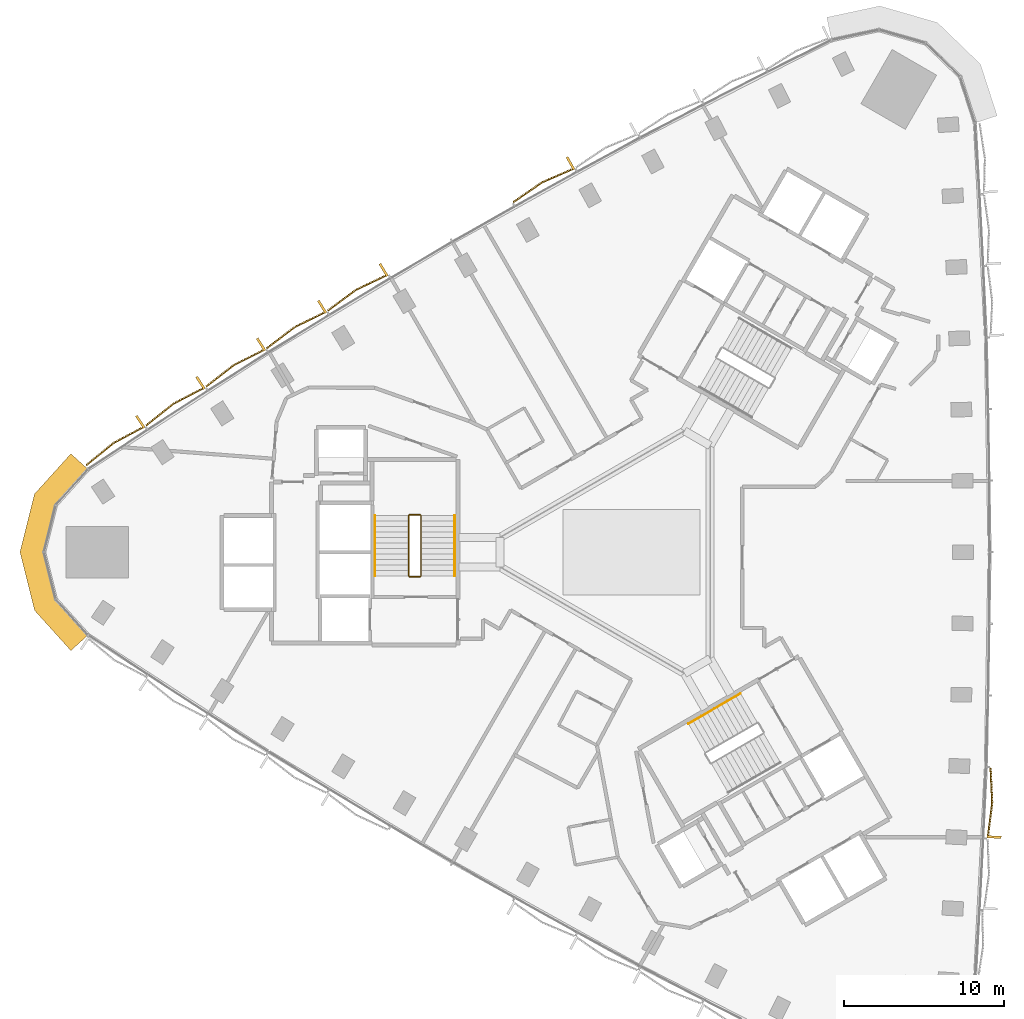
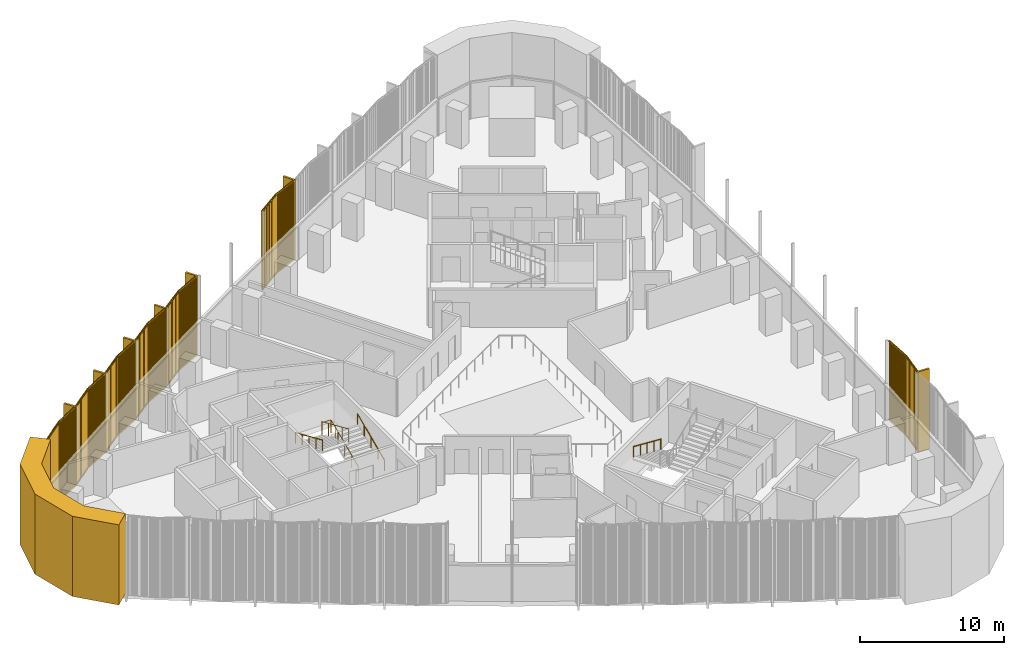
# One storey, part 13 of 15: 8 coverings, 4 railings.
"""IFC4 building model written with IfcOpenShell, lengths in metres."""

from ifc_helpers import new_model, si_unit, direction, frame, frame_2d, origin, origin_2d, place, context, subcontext, project, spatial, polyline, rectangle, circle, outline, extrude, source, transform, mapped, material, layer, layer_set, type_object, element, save


model = new_model("IFC4")

# Units and contexts
model_context = context("Model", 3, precision=1e-05, world=origin(), true_north=direction((0.0, 1.0)))
body_context = subcontext(model_context, "Body", "Model", "MODEL_VIEW")
ifc_project = project(units=[si_unit("LENGTHUNIT", "METRE"), si_unit("AREAUNIT", "SQUARE_METRE"), si_unit("VOLUMEUNIT", "CUBIC_METRE"), si_unit("PLANEANGLEUNIT", "RADIAN"), si_unit("MASSUNIT", "GRAM", prefix="KILO")], contexts=[model_context])

# Site, building, storey
site_placement = place(None, origin())
site = spatial("IfcSite", under=ifc_project, at=site_placement, CompositionType="ELEMENT")
building_placement = place(site_placement, origin())
building = spatial("IfcBuilding", under=site, at=building_placement, Name="Tamra Quay Hotel Tower", CompositionType="ELEMENT")
storey_placement = place(building_placement, frame((0.0, 0.0, 79.39990234375)))
storey = spatial("IfcBuildingStorey", under=building, at=storey_placement, Name="L18", CompositionType="ELEMENT", Elevation=79.39990234375)

# Covering
ifc_material_1 = material(Name="Precast concrete M60 terracotta-coloured", Category="masonry")
ifc_layer = layer(ifc_material_1, 1.449951171875)
ifc_layer_set = layer_set([ifc_layer], Name="CORNER PIER PANEL")
covering_type_1 = type_object("IfcCoveringType", Name="CORNER PIER PANEL", PredefinedType="CLADDING", material=ifc_layer_set)
covering_1_placement = place(storey_placement, origin())
element("IfcCovering", 1, at=covering_1_placement, inside=storey, type_object=covering_type_1, Name="Corner pier L18.north-west", PredefinedType="CLADDING", context=body_context, shape_type="SweptSolid", body=[
    extrude(outline(polyline([(-33.88525390625, 5.166015625), (-34.96142578125, 6.137451171875), (-37.2255859375, 3.62939453125), (-38.132080078125, 0.0), (-37.2255859375, -3.62939453125), (-34.96142578125, -6.137451171875), (-33.88525390625, -5.166015625), (-35.906494140625, -2.9267578125), (-36.6376953125, 0.0), (-35.906494140625, 2.9267578125), (-33.88525390625, 5.166015625)])), origin(), (0.0, 0.0, 1.0), 6.775146484375),
])

# Railings
ifc_material_2 = material(Name="Stair guard 1100")
railing_type_1 = type_object("IfcRailingType", Name="Stair guard 1100", PredefinedType="GUARDRAIL", material=ifc_material_2)
railing_1_placement = place(storey_placement, frame((-13.84130859375, -1.530029296875, 0.0)))
element("IfcRailing", 2, at=railing_1_placement, inside=storey, type_object=railing_type_1, Name="GR", PredefinedType="GUARDRAIL", context=body_context, shape_type="SweptSolid", body=[
    extrude(circle(Radius=0.02392578125, at=origin_2d()), frame((0.0, 0.0, 1.076171875), z_axis=(1.0, 0.0, 0.0), x_axis=(0.0, 1.0, 0.0)), (0.0, 0.0, 1.0), 0.658935546875),
    extrude(circle(Radius=0.02392578125, at=origin_2d()), frame((0.658935546875, 0.0, 1.076171875), z_axis=(0.301511344578, 0.301511344578, 0.904534033733), x_axis=(-0.707106781187, 0.707106781187, 0.0)), (0.0, 0.0, 1.0), 0.166015625),
    extrude(circle(Radius=0.02392578125, at=origin_2d()), frame((0.708984375, 0.050048828125, 1.22607421875), z_axis=(0.0, 0.915795495799, 0.401644880304), x_axis=(-1.0, 0.0, 0.0)), (0.0, 0.0, 1.0), 4.10791015625),
    extrude(circle(Radius=0.02392578125, at=origin_2d()), frame((0.708984375, 3.81201171875, 2.8759765625), z_axis=(-0.708833529934, 0.705375805398, 0.0), x_axis=(-0.705375805398, -0.708833529934, 0.0)), (0.0, 0.0, 1.0), 0.070556640625),
    extrude(circle(Radius=0.02392578125, at=origin_2d()), frame((0.658935546875, 3.86181640625, 2.8759765625), z_axis=(-1.0, 0.0, 0.0), x_axis=(0.0, -1.0, 0.0)), (0.0, 0.0, 1.0), 0.658935546875),
    extrude(circle(Radius=0.02392578125, at=origin_2d()), frame((0.0, 3.86181640625, 2.8759765625), z_axis=(-0.301644814947, -0.300173376825, 0.904934444842), x_axis=(0.705375805398, -0.708833529934, 0.0)), (0.0, 0.0, 1.0), 0.166015625),
    extrude(circle(Radius=0.02392578125, at=origin_2d()), frame((-0.050048828125, 3.81201171875, 3.0263671875), z_axis=(0.0, -0.915795495799, 0.401644880304), x_axis=(1.0, 0.0, 0.0)), (0.0, 0.0, 1.0), 4.10791015625),
    extrude(circle(Radius=0.02099609375, at=origin_2d()), origin(), (0.0, 0.0, 1.0), 1.052001953125),
    extrude(circle(Radius=0.02099609375, at=origin_2d()), frame((0.658935546875, 0.0, 0.0)), (0.0, 0.0, 1.0), 1.052001953125),
    extrude(circle(Radius=0.02099609375, at=origin_2d()), frame((0.708984375, 0.050048828125, 0.150146484375)), (0.0, 0.0, 1.0), 1.052001953125),
    extrude(circle(Radius=0.02099609375, at=origin_2d()), frame((0.708984375, 0.990478515625, 0.5625)), (0.0, 0.0, 1.0), 1.052001953125),
    extrude(circle(Radius=0.02099609375, at=origin_2d()), frame((0.708984375, 1.93115234375, 0.97509765625)), (0.0, 0.0, 1.0), 1.052001953125),
    extrude(circle(Radius=0.02099609375, at=origin_2d()), frame((0.708984375, 2.87158203125, 1.3876953125)), (0.0, 0.0, 1.0), 1.052001953125),
    extrude(circle(Radius=0.02099609375, at=origin_2d()), frame((0.708984375, 3.81201171875, 1.800048828125)), (0.0, 0.0, 1.0), 1.052001953125),
    extrude(circle(Radius=0.02099609375, at=origin_2d()), frame((0.658935546875, 3.86181640625, 1.800048828125)), (0.0, 0.0, 1.0), 1.052001953125),
    extrude(circle(Radius=0.02099609375, at=origin_2d()), frame((0.0, 3.86181640625, 1.800048828125)), (0.0, 0.0, 1.0), 1.052001953125),
    extrude(circle(Radius=0.02099609375, at=origin_2d()), frame((-0.050048828125, 3.81201171875, 1.9501953125)), (0.0, 0.0, 1.0), 1.052001953125),
    extrude(circle(Radius=0.02099609375, at=origin_2d()), frame((-0.050048828125, 2.87158203125, 2.36279296875)), (0.0, 0.0, 1.0), 1.052001953125),
    extrude(circle(Radius=0.02099609375, at=origin_2d()), frame((-0.050048828125, 1.93115234375, 2.775146484375)), (0.0, 0.0, 1.0), 1.052001953125),
    extrude(circle(Radius=0.02099609375, at=origin_2d()), frame((-0.050048828125, 0.990478515625, 3.1875)), (0.0, 0.0, 1.0), 1.052001953125),
    extrude(circle(Radius=0.02099609375, at=origin_2d()), frame((-0.050048828125, 0.050048828125, 3.60009765625)), (0.0, 0.0, 1.0), 1.052001953125),
])
ifc_material_3 = material(Name="Stair handrail 900")
railing_type_2 = type_object("IfcRailingType", Name="Stair handrail 900", PredefinedType="HANDRAIL", material=ifc_material_3)
railing_2_placement = place(storey_placement, frame((-11.0322265625, -1.47998046875, 0.150146484375)))
element("IfcRailing", 3, at=railing_2_placement, inside=storey, type_object=railing_type_2, Name="HR", PredefinedType="HANDRAIL", context=body_context, shape_type="SweptSolid", body=[
    extrude(circle(Radius=0.02392578125, at=origin_2d()), frame((0.0, 0.0, 0.8759765625), z_axis=(0.0, 0.915795495799, 0.401644880304), x_axis=(-1.0, 0.0, 0.0)), (0.0, 0.0, 1.0), 4.10791015625),
    extrude(circle(Radius=0.02099609375, at=origin_2d()), origin(), (0.0, 0.0, 1.0), 0.851806640625),
    extrude(circle(Radius=0.02099609375, at=origin_2d()), frame((0.0, 0.9404296875, 0.41259765625)), (0.0, 0.0, 1.0), 0.851806640625),
    extrude(circle(Radius=0.02099609375, at=origin_2d()), frame((0.0, 1.880859375, 0.824951171875)), (0.0, 0.0, 1.0), 0.851806640625),
    extrude(circle(Radius=0.02099609375, at=origin_2d()), frame((0.0, 2.821533203125, 1.2373046875)), (0.0, 0.0, 1.0), 0.851806640625),
    extrude(circle(Radius=0.02099609375, at=origin_2d()), frame((0.0, 3.761962890625, 1.64990234375)), (0.0, 0.0, 1.0), 0.851806640625),
])
railing_3_placement = place(storey_placement, frame((-15.9912109375, 2.281982421875, 1.9501953125)))
element("IfcRailing", 4, at=railing_3_placement, inside=storey, type_object=railing_type_2, Name="HR", PredefinedType="HANDRAIL", context=body_context, shape_type="SweptSolid", body=[
    extrude(circle(Radius=0.02392578125, at=origin_2d()), frame((0.0, 0.0, 0.8759765625), z_axis=(0.0, -0.915795495799, 0.401644880304), x_axis=(1.0, 0.0, 0.0)), (0.0, 0.0, 1.0), 4.10791015625),
    extrude(circle(Radius=0.02099609375, at=origin_2d()), origin(), (0.0, 0.0, 1.0), 0.851806640625),
    extrude(circle(Radius=0.02099609375, at=origin_2d()), frame((0.0, -0.9404296875, 0.41259765625)), (0.0, 0.0, 1.0), 0.851806640625),
    extrude(circle(Radius=0.02099609375, at=origin_2d()), frame((0.0, -1.880859375, 0.824951171875)), (0.0, 0.0, 1.0), 0.851806640625),
    extrude(circle(Radius=0.02099609375, at=origin_2d()), frame((0.0, -2.821533203125, 1.2373046875)), (0.0, 0.0, 1.0), 0.851806640625),
    extrude(circle(Radius=0.02099609375, at=origin_2d()), frame((0.0, -3.761962890625, 1.64990234375)), (0.0, 0.0, 1.0), 0.851806640625),
])
railing_4_placement = place(storey_placement, frame((6.7978515625, -8.814208984375, 0.150146484375)))
element("IfcRailing", 5, at=railing_4_placement, inside=storey, type_object=railing_type_2, Name="HR", PredefinedType="HANDRAIL", context=body_context, shape_type="SweptSolid", body=[
    extrude(circle(Radius=0.02392578125, at=origin_2d()), frame((0.0, 0.0, 0.8759765625), z_axis=(-0.79310004713, -0.457886897714, 0.401661429744), x_axis=(0.499992114976, -0.866029956157, 0.0)), (0.0, 0.0, 1.0), 4.107666015625),
    extrude(circle(Radius=0.02099609375, at=origin_2d()), origin(), (0.0, 0.0, 1.0), 0.851806640625),
    extrude(circle(Radius=0.02099609375, at=origin_2d()), frame((-0.814453125, -0.47021484375, 0.41259765625)), (0.0, 0.0, 1.0), 0.851806640625),
    extrude(circle(Radius=0.02099609375, at=origin_2d()), frame((-1.62890625, -0.9404296875, 0.824951171875)), (0.0, 0.0, 1.0), 0.851806640625),
    extrude(circle(Radius=0.02099609375, at=origin_2d()), frame((-2.443359375, -1.41064453125, 1.2373046875)), (0.0, 0.0, 1.0), 0.851806640625),
    extrude(circle(Radius=0.02099609375, at=origin_2d()), frame((-3.2578125, -1.880859375, 1.64990234375)), (0.0, 0.0, 1.0), 0.851806640625),
])

# Coverings
ifc_material_4 = material(Name="Terracotta baguette extruded", Category="masonry")
covering_type_2 = type_object("IfcCoveringType", Name="BAGUETTE SCREEN E-V H6775", PredefinedType="USERDEFINED", material=ifc_material_4)
shared_shape_1 = source(origin(), body_context, "Body", "SweptSolid", [
    extrude(rectangle(XDim=2.200927734375, YDim=0.06005859375, at=frame_2d((1.1005859375, 0.030029296875))), frame((-2.19775390625, -0.057861328125, -0.1201171875), z_axis=(0.0, 0.0, 1.0), x_axis=(0.996194698092, -0.087155742748, 0.0)), (0.0, 0.0, 1.0), 0.1201171875),
    extrude(rectangle(XDim=2.200927734375, YDim=0.06005859375, at=frame_2d((1.1005859375, 0.030029296875))), frame((-2.19775390625, -0.057861328125, -6.77490234375), z_axis=(0.0, 0.0, 1.0), x_axis=(0.996194698092, -0.087155742748, 0.0)), (0.0, 0.0, 1.0), 0.1201171875),
    extrude(rectangle(XDim=0.070068359375, YDim=0.10009765625, at=frame_2d((0.03515625, 0.050048828125))), frame((-2.177734375, -0.13232421875, -6.715087890625)), (0.0, 0.0, 1.0), 6.655029296875),
    extrude(rectangle(XDim=0.070068359375, YDim=0.10009765625, at=frame_2d((0.03515625, 0.050048828125))), frame((-2.078125, -0.14111328125, -6.715087890625)), (0.0, 0.0, 1.0), 6.655029296875),
    extrude(rectangle(XDim=0.070068359375, YDim=0.10009765625, at=frame_2d((0.03515625, 0.050048828125))), frame((-1.978271484375, -0.14990234375, -6.715087890625)), (0.0, 0.0, 1.0), 6.655029296875),
    extrude(rectangle(XDim=0.070068359375, YDim=0.10009765625, at=frame_2d((0.03515625, 0.050048828125))), frame((-1.878662109375, -0.158447265625, -6.715087890625)), (0.0, 0.0, 1.0), 6.655029296875),
    extrude(rectangle(XDim=0.070068359375, YDim=0.10009765625, at=frame_2d((0.03515625, 0.050048828125))), frame((-1.779052734375, -0.167236328125, -6.715087890625)), (0.0, 0.0, 1.0), 6.655029296875),
    extrude(rectangle(XDim=0.070068359375, YDim=0.10009765625, at=frame_2d((0.03515625, 0.050048828125))), frame((-1.679443359375, -0.176025390625, -6.715087890625)), (0.0, 0.0, 1.0), 6.655029296875),
    extrude(rectangle(XDim=0.070068359375, YDim=0.10009765625, at=frame_2d((0.03515625, 0.050048828125))), frame((-1.579833984375, -0.1845703125, -6.715087890625)), (0.0, 0.0, 1.0), 6.655029296875),
    extrude(rectangle(XDim=0.070068359375, YDim=0.10009765625, at=frame_2d((0.03515625, 0.050048828125))), frame((-1.47998046875, -0.193359375, -6.715087890625)), (0.0, 0.0, 1.0), 6.655029296875),
    extrude(rectangle(XDim=0.070068359375, YDim=0.10009765625, at=frame_2d((0.03515625, 0.050048828125))), frame((-1.38037109375, -0.2021484375, -6.715087890625)), (0.0, 0.0, 1.0), 6.655029296875),
    extrude(rectangle(XDim=0.070068359375, YDim=0.10009765625, at=frame_2d((0.03515625, 0.050048828125))), frame((-1.28076171875, -0.2109375, -6.715087890625)), (0.0, 0.0, 1.0), 6.655029296875),
    extrude(rectangle(XDim=0.070068359375, YDim=0.10009765625, at=frame_2d((0.03515625, 0.050048828125))), frame((-1.18115234375, -0.219482421875, -6.715087890625)), (0.0, 0.0, 1.0), 6.655029296875),
    extrude(rectangle(XDim=0.070068359375, YDim=0.10009765625, at=frame_2d((0.03515625, 0.050048828125))), frame((-1.081298828125, -0.228271484375, -6.715087890625)), (0.0, 0.0, 1.0), 6.655029296875),
    extrude(rectangle(XDim=0.070068359375, YDim=0.10009765625, at=frame_2d((0.03515625, 0.050048828125))), frame((-0.981689453125, -0.237060546875, -6.715087890625)), (0.0, 0.0, 1.0), 6.655029296875),
    extrude(rectangle(XDim=0.070068359375, YDim=0.10009765625, at=frame_2d((0.03515625, 0.050048828125))), frame((-0.882080078125, -0.24560546875, -6.715087890625)), (0.0, 0.0, 1.0), 6.655029296875),
    extrude(rectangle(XDim=0.070068359375, YDim=0.10009765625, at=frame_2d((0.03515625, 0.050048828125))), frame((-0.782470703125, -0.25439453125, -6.715087890625)), (0.0, 0.0, 1.0), 6.655029296875),
    extrude(rectangle(XDim=0.070068359375, YDim=0.10009765625, at=frame_2d((0.03515625, 0.050048828125))), frame((-0.682861328125, -0.26318359375, -6.715087890625)), (0.0, 0.0, 1.0), 6.655029296875),
    extrude(rectangle(XDim=0.070068359375, YDim=0.10009765625, at=frame_2d((0.03515625, 0.050048828125))), frame((-0.583251953125, -0.27197265625, -6.715087890625)), (0.0, 0.0, 1.0), 6.655029296875),
    extrude(rectangle(XDim=0.070068359375, YDim=0.10009765625, at=frame_2d((0.03515625, 0.050048828125))), frame((-0.4833984375, -0.280517578125, -6.715087890625)), (0.0, 0.0, 1.0), 6.655029296875),
    extrude(rectangle(XDim=0.070068359375, YDim=0.10009765625, at=frame_2d((0.03515625, 0.050048828125))), frame((-0.3837890625, -0.289306640625, -6.715087890625)), (0.0, 0.0, 1.0), 6.655029296875),
    extrude(rectangle(XDim=0.070068359375, YDim=0.10009765625, at=frame_2d((0.03515625, 0.050048828125))), frame((-0.2841796875, -0.298095703125, -6.715087890625)), (0.0, 0.0, 1.0), 6.655029296875),
    extrude(rectangle(XDim=0.070068359375, YDim=0.10009765625, at=frame_2d((0.03515625, 0.050048828125))), frame((-0.1845703125, -0.306640625, -6.715087890625)), (0.0, 0.0, 1.0), 6.655029296875),
    extrude(rectangle(XDim=0.070068359375, YDim=0.10009765625, at=frame_2d((0.03515625, 0.050048828125))), frame((-0.084716796875, -0.3154296875, -6.715087890625)), (0.0, 0.0, 1.0), 6.655029296875),
    extrude(rectangle(XDim=2.200927734375, YDim=0.06005859375, at=frame_2d((1.1005859375, 0.030029296875))), frame((0.005126953125, -0.24951171875, -0.1201171875), z_axis=(0.0, 0.0, 1.0), x_axis=(0.996194698092, 0.087155742748, 0.0)), (0.0, 0.0, 1.0), 0.1201171875),
    extrude(rectangle(XDim=2.200927734375, YDim=0.06005859375, at=frame_2d((1.1005859375, 0.030029296875))), frame((0.005126953125, -0.24951171875, -6.77490234375), z_axis=(0.0, 0.0, 1.0), x_axis=(0.996194698092, 0.087155742748, 0.0)), (0.0, 0.0, 1.0), 0.1201171875),
    extrude(rectangle(XDim=0.070068359375, YDim=0.10009765625, at=frame_2d((0.03515625, 0.050048828125))), frame((0.014892578125, -0.3154296875, -6.715087890625)), (0.0, 0.0, 1.0), 6.655029296875),
    extrude(rectangle(XDim=0.070068359375, YDim=0.10009765625, at=frame_2d((0.03515625, 0.050048828125))), frame((0.114501953125, -0.306640625, -6.715087890625)), (0.0, 0.0, 1.0), 6.655029296875),
    extrude(rectangle(XDim=0.070068359375, YDim=0.10009765625, at=frame_2d((0.03515625, 0.050048828125))), frame((0.214111328125, -0.298095703125, -6.715087890625)), (0.0, 0.0, 1.0), 6.655029296875),
    extrude(rectangle(XDim=0.070068359375, YDim=0.10009765625, at=frame_2d((0.03515625, 0.050048828125))), frame((0.313720703125, -0.289306640625, -6.715087890625)), (0.0, 0.0, 1.0), 6.655029296875),
    extrude(rectangle(XDim=0.070068359375, YDim=0.10009765625, at=frame_2d((0.03515625, 0.050048828125))), frame((0.41357421875, -0.280517578125, -6.715087890625)), (0.0, 0.0, 1.0), 6.655029296875),
    extrude(rectangle(XDim=0.070068359375, YDim=0.10009765625, at=frame_2d((0.03515625, 0.050048828125))), frame((0.51318359375, -0.27197265625, -6.715087890625)), (0.0, 0.0, 1.0), 6.655029296875),
    extrude(rectangle(XDim=0.070068359375, YDim=0.10009765625, at=frame_2d((0.03515625, 0.050048828125))), frame((0.61279296875, -0.26318359375, -6.715087890625)), (0.0, 0.0, 1.0), 6.655029296875),
    extrude(rectangle(XDim=0.070068359375, YDim=0.10009765625, at=frame_2d((0.03515625, 0.050048828125))), frame((0.71240234375, -0.25439453125, -6.715087890625)), (0.0, 0.0, 1.0), 6.655029296875),
    extrude(rectangle(XDim=0.070068359375, YDim=0.10009765625, at=frame_2d((0.03515625, 0.050048828125))), frame((0.81201171875, -0.24560546875, -6.715087890625)), (0.0, 0.0, 1.0), 6.655029296875),
    extrude(rectangle(XDim=0.070068359375, YDim=0.10009765625, at=frame_2d((0.03515625, 0.050048828125))), frame((0.911865234375, -0.237060546875, -6.715087890625)), (0.0, 0.0, 1.0), 6.655029296875),
    extrude(rectangle(XDim=0.070068359375, YDim=0.10009765625, at=frame_2d((0.03515625, 0.050048828125))), frame((1.011474609375, -0.228271484375, -6.715087890625)), (0.0, 0.0, 1.0), 6.655029296875),
    extrude(rectangle(XDim=0.070068359375, YDim=0.10009765625, at=frame_2d((0.03515625, 0.050048828125))), frame((1.111083984375, -0.219482421875, -6.715087890625)), (0.0, 0.0, 1.0), 6.655029296875),
    extrude(rectangle(XDim=0.070068359375, YDim=0.10009765625, at=frame_2d((0.03515625, 0.050048828125))), frame((1.210693359375, -0.2109375, -6.715087890625)), (0.0, 0.0, 1.0), 6.655029296875),
    extrude(rectangle(XDim=0.070068359375, YDim=0.10009765625, at=frame_2d((0.03515625, 0.050048828125))), frame((1.310302734375, -0.2021484375, -6.715087890625)), (0.0, 0.0, 1.0), 6.655029296875),
    extrude(rectangle(XDim=0.070068359375, YDim=0.10009765625, at=frame_2d((0.03515625, 0.050048828125))), frame((1.41015625, -0.193359375, -6.715087890625)), (0.0, 0.0, 1.0), 6.655029296875),
    extrude(rectangle(XDim=0.070068359375, YDim=0.10009765625, at=frame_2d((0.03515625, 0.050048828125))), frame((1.509765625, -0.1845703125, -6.715087890625)), (0.0, 0.0, 1.0), 6.655029296875),
    extrude(rectangle(XDim=0.070068359375, YDim=0.10009765625, at=frame_2d((0.03515625, 0.050048828125))), frame((1.609375, -0.176025390625, -6.715087890625)), (0.0, 0.0, 1.0), 6.655029296875),
    extrude(rectangle(XDim=0.070068359375, YDim=0.10009765625, at=frame_2d((0.03515625, 0.050048828125))), frame((1.708984375, -0.167236328125, -6.715087890625)), (0.0, 0.0, 1.0), 6.655029296875),
    extrude(rectangle(XDim=0.070068359375, YDim=0.10009765625, at=frame_2d((0.03515625, 0.050048828125))), frame((1.80859375, -0.158447265625, -6.715087890625)), (0.0, 0.0, 1.0), 6.655029296875),
    extrude(rectangle(XDim=0.070068359375, YDim=0.10009765625, at=frame_2d((0.03515625, 0.050048828125))), frame((1.908447265625, -0.14990234375, -6.715087890625)), (0.0, 0.0, 1.0), 6.655029296875),
    extrude(rectangle(XDim=0.070068359375, YDim=0.10009765625, at=frame_2d((0.03515625, 0.050048828125))), frame((2.008056640625, -0.14111328125, -6.715087890625)), (0.0, 0.0, 1.0), 6.655029296875),
    extrude(rectangle(XDim=0.070068359375, YDim=0.10009765625, at=frame_2d((0.03515625, 0.050048828125))), frame((2.107666015625, -0.13232421875, -6.715087890625)), (0.0, 0.0, 1.0), 6.655029296875),
    extrude(rectangle(XDim=0.14990234375, YDim=0.902099609375, at=frame_2d((0.074951171875, 0.451171875))), frame((-2.1923828125, -0.89990234375, -6.77490234375)), (0.0, 0.0, 1.0), 6.77490234375),
])
covering_2_placement = place(storey_placement, frame((22.232177734375, -15.628173828125, 6.775146484375), z_axis=(0.0, 0.0, 1.0), x_axis=(0.039943755239, 0.999201929751, 0.0)))
element("IfcCovering", 6, at=covering_2_placement, inside=storey, type_object=covering_type_2, Name="Baguette screen L18.E.f02", ObjectType="BAGUETTE SCREEN", PredefinedType="USERDEFINED", context=body_context, shape_type="MappedRepresentation", body=[
    mapped(shared_shape_1, transform((0.0, 0.0, 0.0), scale=1.0)),
])
covering_type_3 = type_object("IfcCoveringType", Name="BAGUETTE SCREEN NW-V H6775", PredefinedType="USERDEFINED", material=ifc_material_4)
shared_shape_2 = source(origin(), body_context, "Body", "SweptSolid", [
    extrude(rectangle(XDim=2.20263671875, YDim=0.06005859375, at=frame_2d((1.101318359375, 0.030029296875))), frame((-2.1982421875, -0.0576171875, -0.1201171875), z_axis=(0.0, 0.0, 1.0), x_axis=(0.995396198367, -0.09584575252, 0.0)), (0.0, 0.0, 1.0), 0.1201171875),
    extrude(rectangle(XDim=2.20263671875, YDim=0.06005859375, at=frame_2d((1.101318359375, 0.030029296875))), frame((-2.1982421875, -0.0576171875, -6.77490234375), z_axis=(0.0, 0.0, 1.0), x_axis=(0.995396198367, -0.09584575252, 0.0)), (0.0, 0.0, 1.0), 0.1201171875),
    extrude(rectangle(XDim=0.070068359375, YDim=0.10009765625, at=frame_2d((0.03515625, 0.050048828125))), frame((-2.177734375, -0.1328125, -6.715087890625)), (0.0, 0.0, 1.0), 6.655029296875),
    extrude(rectangle(XDim=0.070068359375, YDim=0.10009765625, at=frame_2d((0.03515625, 0.050048828125))), frame((-2.078125, -0.142333984375, -6.715087890625)), (0.0, 0.0, 1.0), 6.655029296875),
    extrude(rectangle(XDim=0.070068359375, YDim=0.10009765625, at=frame_2d((0.03515625, 0.050048828125))), frame((-1.978271484375, -0.152099609375, -6.715087890625)), (0.0, 0.0, 1.0), 6.655029296875),
    extrude(rectangle(XDim=0.070068359375, YDim=0.10009765625, at=frame_2d((0.03515625, 0.050048828125))), frame((-1.878662109375, -0.16162109375, -6.715087890625)), (0.0, 0.0, 1.0), 6.655029296875),
    extrude(rectangle(XDim=0.070068359375, YDim=0.10009765625, at=frame_2d((0.03515625, 0.050048828125))), frame((-1.779052734375, -0.171142578125, -6.715087890625)), (0.0, 0.0, 1.0), 6.655029296875),
    extrude(rectangle(XDim=0.070068359375, YDim=0.10009765625, at=frame_2d((0.03515625, 0.050048828125))), frame((-1.679443359375, -0.1806640625, -6.715087890625)), (0.0, 0.0, 1.0), 6.655029296875),
    extrude(rectangle(XDim=0.070068359375, YDim=0.10009765625, at=frame_2d((0.03515625, 0.050048828125))), frame((-1.579833984375, -0.1904296875, -6.715087890625)), (0.0, 0.0, 1.0), 6.655029296875),
    extrude(rectangle(XDim=0.070068359375, YDim=0.10009765625, at=frame_2d((0.03515625, 0.050048828125))), frame((-1.47998046875, -0.199951171875, -6.715087890625)), (0.0, 0.0, 1.0), 6.655029296875),
    extrude(rectangle(XDim=0.070068359375, YDim=0.10009765625, at=frame_2d((0.03515625, 0.050048828125))), frame((-1.38037109375, -0.20947265625, -6.715087890625)), (0.0, 0.0, 1.0), 6.655029296875),
    extrude(rectangle(XDim=0.070068359375, YDim=0.10009765625, at=frame_2d((0.03515625, 0.050048828125))), frame((-1.28076171875, -0.21923828125, -6.715087890625)), (0.0, 0.0, 1.0), 6.655029296875),
    extrude(rectangle(XDim=0.070068359375, YDim=0.10009765625, at=frame_2d((0.03515625, 0.050048828125))), frame((-1.18115234375, -0.228759765625, -6.715087890625)), (0.0, 0.0, 1.0), 6.655029296875),
    extrude(rectangle(XDim=0.070068359375, YDim=0.10009765625, at=frame_2d((0.03515625, 0.050048828125))), frame((-1.081298828125, -0.23828125, -6.715087890625)), (0.0, 0.0, 1.0), 6.655029296875),
    extrude(rectangle(XDim=0.070068359375, YDim=0.10009765625, at=frame_2d((0.03515625, 0.050048828125))), frame((-0.981689453125, -0.248046875, -6.715087890625)), (0.0, 0.0, 1.0), 6.655029296875),
    extrude(rectangle(XDim=0.070068359375, YDim=0.10009765625, at=frame_2d((0.03515625, 0.050048828125))), frame((-0.882080078125, -0.257568359375, -6.715087890625)), (0.0, 0.0, 1.0), 6.655029296875),
    extrude(rectangle(XDim=0.070068359375, YDim=0.10009765625, at=frame_2d((0.03515625, 0.050048828125))), frame((-0.782470703125, -0.26708984375, -6.715087890625)), (0.0, 0.0, 1.0), 6.655029296875),
    extrude(rectangle(XDim=0.070068359375, YDim=0.10009765625, at=frame_2d((0.03515625, 0.050048828125))), frame((-0.682861328125, -0.27685546875, -6.715087890625)), (0.0, 0.0, 1.0), 6.655029296875),
    extrude(rectangle(XDim=0.070068359375, YDim=0.10009765625, at=frame_2d((0.03515625, 0.050048828125))), frame((-0.583251953125, -0.286376953125, -6.715087890625)), (0.0, 0.0, 1.0), 6.655029296875),
    extrude(rectangle(XDim=0.070068359375, YDim=0.10009765625, at=frame_2d((0.03515625, 0.050048828125))), frame((-0.4833984375, -0.2958984375, -6.715087890625)), (0.0, 0.0, 1.0), 6.655029296875),
    extrude(rectangle(XDim=0.070068359375, YDim=0.10009765625, at=frame_2d((0.03515625, 0.050048828125))), frame((-0.3837890625, -0.305419921875, -6.715087890625)), (0.0, 0.0, 1.0), 6.655029296875),
    extrude(rectangle(XDim=0.070068359375, YDim=0.10009765625, at=frame_2d((0.03515625, 0.050048828125))), frame((-0.2841796875, -0.315185546875, -6.715087890625)), (0.0, 0.0, 1.0), 6.655029296875),
    extrude(rectangle(XDim=0.070068359375, YDim=0.10009765625, at=frame_2d((0.03515625, 0.050048828125))), frame((-0.1845703125, -0.32470703125, -6.715087890625)), (0.0, 0.0, 1.0), 6.655029296875),
    extrude(rectangle(XDim=0.070068359375, YDim=0.10009765625, at=frame_2d((0.03515625, 0.050048828125))), frame((-0.084716796875, -0.334228515625, -6.715087890625)), (0.0, 0.0, 1.0), 6.655029296875),
    extrude(rectangle(XDim=2.20263671875, YDim=0.06005859375, at=frame_2d((1.101318359375, 0.030029296875))), frame((0.005859375, -0.268798828125, -0.1201171875), z_axis=(0.0, 0.0, 1.0), x_axis=(0.995396198367, 0.09584575252, 0.0)), (0.0, 0.0, 1.0), 0.1201171875),
    extrude(rectangle(XDim=2.20263671875, YDim=0.06005859375, at=frame_2d((1.101318359375, 0.030029296875))), frame((0.005859375, -0.268798828125, -6.77490234375), z_axis=(0.0, 0.0, 1.0), x_axis=(0.995396198367, 0.09584575252, 0.0)), (0.0, 0.0, 1.0), 0.1201171875),
    extrude(rectangle(XDim=0.070068359375, YDim=0.10009765625, at=frame_2d((0.03515625, 0.050048828125))), frame((0.014892578125, -0.334228515625, -6.715087890625)), (0.0, 0.0, 1.0), 6.655029296875),
    extrude(rectangle(XDim=0.070068359375, YDim=0.10009765625, at=frame_2d((0.03515625, 0.050048828125))), frame((0.114501953125, -0.32470703125, -6.715087890625)), (0.0, 0.0, 1.0), 6.655029296875),
    extrude(rectangle(XDim=0.070068359375, YDim=0.10009765625, at=frame_2d((0.03515625, 0.050048828125))), frame((0.214111328125, -0.315185546875, -6.715087890625)), (0.0, 0.0, 1.0), 6.655029296875),
    extrude(rectangle(XDim=0.070068359375, YDim=0.10009765625, at=frame_2d((0.03515625, 0.050048828125))), frame((0.313720703125, -0.305419921875, -6.715087890625)), (0.0, 0.0, 1.0), 6.655029296875),
    extrude(rectangle(XDim=0.070068359375, YDim=0.10009765625, at=frame_2d((0.03515625, 0.050048828125))), frame((0.41357421875, -0.2958984375, -6.715087890625)), (0.0, 0.0, 1.0), 6.655029296875),
    extrude(rectangle(XDim=0.070068359375, YDim=0.10009765625, at=frame_2d((0.03515625, 0.050048828125))), frame((0.51318359375, -0.286376953125, -6.715087890625)), (0.0, 0.0, 1.0), 6.655029296875),
    extrude(rectangle(XDim=0.070068359375, YDim=0.10009765625, at=frame_2d((0.03515625, 0.050048828125))), frame((0.61279296875, -0.27685546875, -6.715087890625)), (0.0, 0.0, 1.0), 6.655029296875),
    extrude(rectangle(XDim=0.070068359375, YDim=0.10009765625, at=frame_2d((0.03515625, 0.050048828125))), frame((0.71240234375, -0.26708984375, -6.715087890625)), (0.0, 0.0, 1.0), 6.655029296875),
    extrude(rectangle(XDim=0.070068359375, YDim=0.10009765625, at=frame_2d((0.03515625, 0.050048828125))), frame((0.81201171875, -0.257568359375, -6.715087890625)), (0.0, 0.0, 1.0), 6.655029296875),
    extrude(rectangle(XDim=0.070068359375, YDim=0.10009765625, at=frame_2d((0.03515625, 0.050048828125))), frame((0.911865234375, -0.248046875, -6.715087890625)), (0.0, 0.0, 1.0), 6.655029296875),
    extrude(rectangle(XDim=0.070068359375, YDim=0.10009765625, at=frame_2d((0.03515625, 0.050048828125))), frame((1.011474609375, -0.23828125, -6.715087890625)), (0.0, 0.0, 1.0), 6.655029296875),
    extrude(rectangle(XDim=0.070068359375, YDim=0.10009765625, at=frame_2d((0.03515625, 0.050048828125))), frame((1.111083984375, -0.228759765625, -6.715087890625)), (0.0, 0.0, 1.0), 6.655029296875),
    extrude(rectangle(XDim=0.070068359375, YDim=0.10009765625, at=frame_2d((0.03515625, 0.050048828125))), frame((1.210693359375, -0.21923828125, -6.715087890625)), (0.0, 0.0, 1.0), 6.655029296875),
    extrude(rectangle(XDim=0.070068359375, YDim=0.10009765625, at=frame_2d((0.03515625, 0.050048828125))), frame((1.310302734375, -0.20947265625, -6.715087890625)), (0.0, 0.0, 1.0), 6.655029296875),
    extrude(rectangle(XDim=0.070068359375, YDim=0.10009765625, at=frame_2d((0.03515625, 0.050048828125))), frame((1.41015625, -0.199951171875, -6.715087890625)), (0.0, 0.0, 1.0), 6.655029296875),
    extrude(rectangle(XDim=0.070068359375, YDim=0.10009765625, at=frame_2d((0.03515625, 0.050048828125))), frame((1.509765625, -0.1904296875, -6.715087890625)), (0.0, 0.0, 1.0), 6.655029296875),
    extrude(rectangle(XDim=0.070068359375, YDim=0.10009765625, at=frame_2d((0.03515625, 0.050048828125))), frame((1.609375, -0.1806640625, -6.715087890625)), (0.0, 0.0, 1.0), 6.655029296875),
    extrude(rectangle(XDim=0.070068359375, YDim=0.10009765625, at=frame_2d((0.03515625, 0.050048828125))), frame((1.708984375, -0.171142578125, -6.715087890625)), (0.0, 0.0, 1.0), 6.655029296875),
    extrude(rectangle(XDim=0.070068359375, YDim=0.10009765625, at=frame_2d((0.03515625, 0.050048828125))), frame((1.80859375, -0.16162109375, -6.715087890625)), (0.0, 0.0, 1.0), 6.655029296875),
    extrude(rectangle(XDim=0.070068359375, YDim=0.10009765625, at=frame_2d((0.03515625, 0.050048828125))), frame((1.908447265625, -0.152099609375, -6.715087890625)), (0.0, 0.0, 1.0), 6.655029296875),
    extrude(rectangle(XDim=0.070068359375, YDim=0.10009765625, at=frame_2d((0.03515625, 0.050048828125))), frame((2.008056640625, -0.142333984375, -6.715087890625)), (0.0, 0.0, 1.0), 6.655029296875),
    extrude(rectangle(XDim=0.070068359375, YDim=0.10009765625, at=frame_2d((0.03515625, 0.050048828125))), frame((2.107666015625, -0.1328125, -6.715087890625)), (0.0, 0.0, 1.0), 6.655029296875),
    extrude(rectangle(XDim=0.14990234375, YDim=0.902099609375, at=frame_2d((0.074951171875, 0.451171875))), frame((-2.1923828125, -0.89990234375, -6.77490234375)), (0.0, 0.0, 1.0), 6.77490234375),
])
for number, where, z_axis, x_axis, name in (
    (7, (-5.44189453125, 22.82421875, 6.775146484375), (0.0, 0.0, 1.0), (-0.874465225024, -0.485088208704, 0.0), "Baguette screen L18.NW.f04"),
    (8, (-17.04541015625, 16.124755859375, 6.775146484375), (0.0, 0.0, 1.0), (-0.857331324326, -0.514764995245, 0.0), "Baguette screen L18.NW.f07"),
    (9, (-20.861328125, 13.803955078125, 6.775146484375), (0.0, 0.0, 1.0), (-0.85139935569, -0.524518004582, 0.0), "Baguette screen L18.NW.f08"),
    (10, (-24.650634765625, 11.439453125, 6.775146484375), (0.0, 0.0, 1.0), (-0.845362377055, -0.534193271635, 0.0), "Baguette screen L18.NW.f09"),
    (11, (-28.41259765625, 9.0322265625, 6.775146484375), (0.0, 0.0, 1.0), (-0.839223908048, -0.543786016885, 0.0), "Baguette screen L18.NW.f10"),
    (12, (-32.146728515625, 6.582275390625, 6.775146484375), (0.0, 0.0, 1.0), (-0.832988002122, -0.553291052088, 0.0), "Baguette screen L18.NW.f11"),
):
    element("IfcCovering", number, at=place(storey_placement, frame(where, z_axis=z_axis, x_axis=x_axis)), inside=storey, type_object=covering_type_3, Name=name, ObjectType="BAGUETTE SCREEN", PredefinedType="USERDEFINED", context=body_context, shape_type="MappedRepresentation", body=[
        mapped(shared_shape_2, transform((0.0, 0.0, 0.0), scale=1.0)),
    ])

save(model, "model.ifc")
